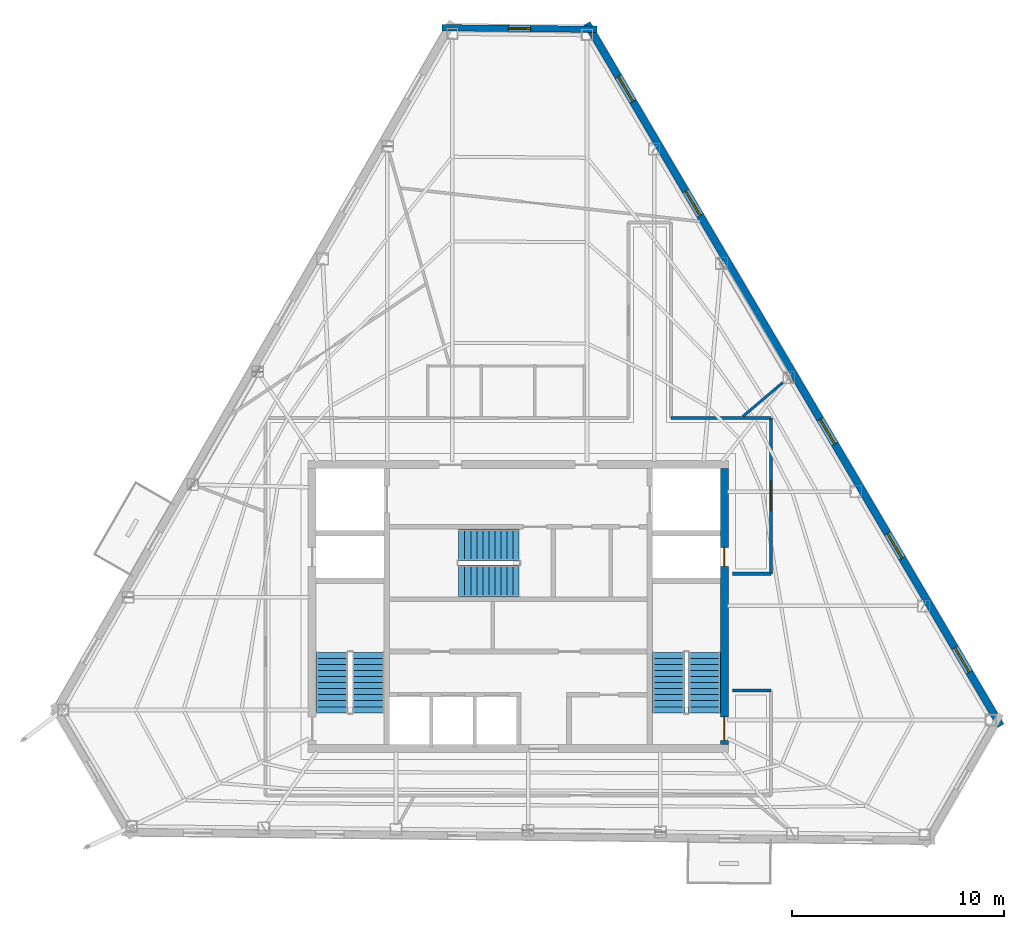
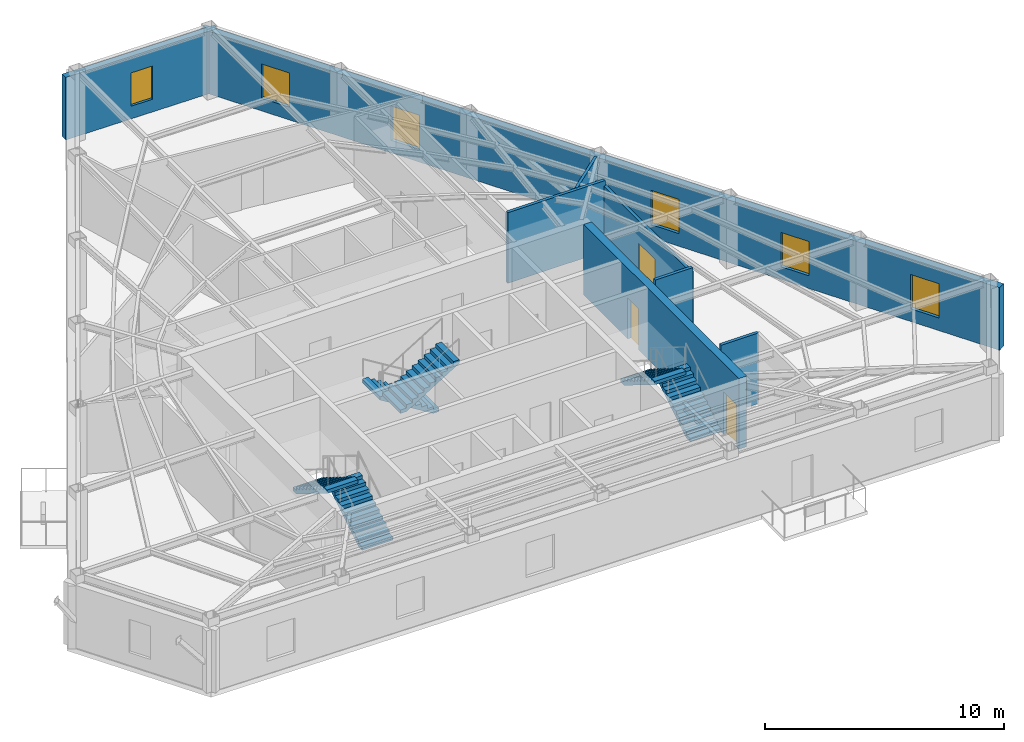
# One storey, part 9 of 11: 8 walls, 6 stair flights, 6 windows, 3 doors, 9 openings, 3 elements without a shape of their own.
"""IFC4 building model written with IfcOpenShell, lengths in metres."""

from ifc_helpers import new_model, si_unit, direction, frame, frame_2d, origin, place, context, subcontext, project, spatial, polyline, rectangle, outline, extrude, material, layer, layer_set, type_object, element, fill, aggregate, save


model = new_model("IFC4")

# Units and contexts
model_context = context("Model", 3, precision=1e-05, world=origin(), true_north=direction((0.0, 1.0)))
body_context = subcontext(model_context, "Body", "Model", "MODEL_VIEW")
ifc_project = project(units=[si_unit("LENGTHUNIT", "METRE"), si_unit("AREAUNIT", "SQUARE_METRE"), si_unit("VOLUMEUNIT", "CUBIC_METRE"), si_unit("PLANEANGLEUNIT", "RADIAN"), si_unit("MASSUNIT", "GRAM", prefix="KILO")], contexts=[model_context])

# Site, building, storey
site_placement = place(None, origin())
site = spatial("IfcSite", under=ifc_project, at=site_placement, CompositionType="ELEMENT")
building_placement = place(site_placement, origin())
building = spatial("IfcBuilding", under=site, at=building_placement, Name="Kavelnor Concourse Tower", CompositionType="ELEMENT")
storey_placement = place(building_placement, frame((0.0, 0.0, 262.60009765625)))
storey = spatial("IfcBuildingStorey", under=building, at=storey_placement, Name="L66", CompositionType="ELEMENT", Elevation=262.60009765625)

# Wall, openings, doors
ifc_material_1 = material(Name="Concrete C50/60", Category="concrete")
ifc_layer_1 = layer(ifc_material_1, 0.3798828125, Name="Concrete C50/60")
ifc_layer_set_1 = layer_set([ifc_layer_1], Name="Concrete C50/60")
wall_type_1 = type_object("IfcWallType", Name="WL-CORE-Z4-380", PredefinedType="SOLIDWALL", material=ifc_layer_set_1)
wall_1_placement = place(storey_placement, frame((47.7099609375, 9.60009765625, 0.0), z_axis=(0.0, 0.0, 1.0), x_axis=(0.0, 1.0, 0.0)))
wall_1 = element("IfcWall", 1, at=wall_1_placement, inside=storey, type_object=wall_type_1, Name="L66 Central Core East Shear Wall", PredefinedType="SOLIDWALL", context=body_context, shape_type="SweptSolid", body=[
    extrude(rectangle(XDim=13.0, YDim=0.3798828125, at=frame_2d((6.5, 0.0))), origin(), (0.0, 0.0, 1.0), 3.60986328125),
])
opening_1_placement = place(wall_1_placement, frame((0.199951171875, 0.0, 0.0)))
opening_1 = element("IfcOpeningElement", 2, at=opening_1_placement, cuts=wall_1, Name="Opening FD-110", PredefinedType="OPENING", context=body_context, shape_type="SweptSolid", body=[
    extrude(rectangle(XDim=1.10009765625, YDim=2.14990234375, at=frame_2d((0.550048828125, 1.074951171875))), frame((0.0, 0.199951171875, 0.0), z_axis=(0.0, -1.0, 0.0), x_axis=(1.0, 0.0, 0.0)), (0.0, 0.0, 1.0), 0.39990234375),
])
opening_2_placement = place(wall_1_placement, frame((8.39990234375, 0.0, 0.0)))
opening_2 = element("IfcOpeningElement", 3, at=opening_2_placement, cuts=wall_1, Name="Opening FD-090", PredefinedType="OPENING", context=body_context, shape_type="SweptSolid", body=[
    extrude(rectangle(XDim=0.89990234375, YDim=2.10009765625, at=frame_2d((0.449951171875, 1.050048828125))), frame((0.0, 0.199951171875, 0.0), z_axis=(0.0, -1.0, 0.0), x_axis=(1.0, 0.0, 0.0)), (0.0, 0.0, 1.0), 0.39990234375),
])
ifc_material_2 = material(Name="Steel Grade 350", Category="steel")
door_type_1 = type_object("IfcDoorType", Name="DR-RISER-FIRE-900", OperationType="NOTDEFINED", PredefinedType="DOOR", material=ifc_material_2)
door_1_placement = place(opening_2_placement, origin())
door_1 = element("IfcDoor", 4, at=door_1_placement, inside=storey, type_object=door_type_1, Name="L66 East Riser Access Door", OperationType="SINGLE_SWING_LEFT", OverallHeight=2.10009765625, OverallWidth=0.89990234375, PredefinedType="DOOR", context=body_context, shape_type="SweptSolid", body=[
    extrude(rectangle(XDim=0.89990234375, YDim=2.10009765625, at=frame_2d((0.449951171875, 1.050048828125))), frame((0.0, 0.02490234375, 0.0), z_axis=(0.0, -1.0, 0.0), x_axis=(1.0, 0.0, 0.0)), (0.0, 0.0, 1.0), 0.050048828125),
])
fill(opening_2, door_1)
door_type_2 = type_object("IfcDoorType", Name="DR-STAIR-FIRE-1100", OperationType="NOTDEFINED", PredefinedType="DOOR", material=ifc_material_2)
door_2_placement = place(opening_1_placement, origin())
door_2 = element("IfcDoor", 5, at=door_2_placement, inside=storey, type_object=door_type_2, Name="L66 Stair ST2 Fire Door", OperationType="SINGLE_SWING_RIGHT", OverallHeight=2.14990234375, OverallWidth=1.10009765625, PredefinedType="DOOR", context=body_context, shape_type="SweptSolid", body=[
    extrude(rectangle(XDim=1.10009765625, YDim=2.14990234375, at=frame_2d((0.550048828125, 1.074951171875))), frame((0.0, 0.02490234375, 0.0), z_axis=(0.0, -1.0, 0.0), x_axis=(1.0, 0.0, 0.0)), (0.0, 0.0, 1.0), 0.050048828125),
])
fill(opening_1, door_2)

# Wall, opening, window
ifc_material_3 = material(Name="Buff ironspot clay face brick masonry", Category="masonry")
ifc_layer_2 = layer(ifc_material_3, 0.300048828125, Name="Buff ironspot clay face brick masonry")
ifc_layer_set_2 = layer_set([ifc_layer_2], Name="Buff ironspot clay face brick masonry")
wall_type_2 = type_object("IfcWallType", Name="WL-EXT-BUFF-BRICK-FOLD-300", PredefinedType="STANDARD", material=ifc_layer_set_2)
wall_2_placement = place(storey_placement, frame((34.408935546875, 43.374755859375, 0.0), z_axis=(0.0, 0.0, 1.0), x_axis=(0.999945939405, -0.010397993418, 0.0)))
wall_2 = element("IfcWall", 6, at=wall_2_placement, inside=storey, type_object=wall_type_2, Name="L66 Exterior Brick Facade Wall E0", PredefinedType="STANDARD", context=body_context, shape_type="SweptSolid", body=[
    extrude(rectangle(XDim=7.30224609375, YDim=0.300048828125, at=frame_2d((3.651123046875, 0.0))), origin(), (0.0, 0.0, 1.0), 3.19580078125),
])
opening_3_placement = place(wall_2_placement, frame((3.126220703125, 0.0, 0.64990234375)))
opening_3 = element("IfcOpeningElement", 7, at=opening_3_placement, cuts=wall_2, Name="Opening W-06", PredefinedType="OPENING", context=body_context, shape_type="SweptSolid", body=[
    extrude(rectangle(XDim=1.050048828125, YDim=1.699951171875, at=frame_2d((0.52490234375, 0.85009765625))), frame((0.0, 0.16015625, 0.0), z_axis=(0.0, -1.0, 0.0), x_axis=(1.0, 0.0, 0.0)), (0.0, 0.0, 1.0), 0.320068359375),
])
ifc_material_4 = material(Name="Double low-E argon insulated glazing", Category="glass")
window_type_1 = type_object("IfcWindowType", Name="WIN-FOLD-1050", PartitioningType="SINGLE_PANEL", PredefinedType="WINDOW", material=ifc_material_4)
window_1_placement = place(opening_3_placement, origin())
window_1 = element("IfcWindow", 8, at=window_1_placement, inside=storey, type_object=window_type_1, Name="L66 Chamfer-Fold Facet Window C0", OverallHeight=1.699951171875, OverallWidth=1.050048828125, PartitioningType="SINGLE_PANEL", PredefinedType="WINDOW", context=body_context, shape_type="SweptSolid", body=[
    extrude(rectangle(XDim=1.050048828125, YDim=1.699951171875, at=frame_2d((0.52490234375, 0.85009765625))), frame((0.0, 0.030029296875, 0.0), z_axis=(0.0, -1.0, 0.0), x_axis=(1.0, 0.0, 0.0)), (0.0, 0.0, 1.0), 0.06005859375),
])
fill(opening_3, window_1)

# Wall, openings, windows
ifc_material_5 = material(Name="Red-ochre clay face brick masonry", Category="masonry")
ifc_layer_3 = layer(ifc_material_5, 0.35009765625, Name="Red-ochre clay face brick masonry")
ifc_layer_set_3 = layer_set([ifc_layer_3], Name="Red-ochre clay face brick masonry")
wall_type_3 = type_object("IfcWallType", Name="WL-EXT-RED-BRICK-PIER-350", PredefinedType="STANDARD", material=ifc_layer_set_3)
wall_3_placement = place(storey_placement, frame((41.23046875, 43.57666015625, 0.0), z_axis=(0.0, 0.0, 1.0), x_axis=(0.507689696002, -0.861540000565, 0.0)))
wall_3 = element("IfcWall", 9, at=wall_3_placement, inside=storey, type_object=wall_type_3, Name="L66 Exterior Brick Facade Wall E5", PredefinedType="STANDARD", context=body_context, shape_type="SweptSolid", body=[
    extrude(rectangle(XDim=38.40966796875, YDim=0.35009765625, at=frame_2d((19.204833984375, 0.0))), origin(), (0.0, 0.0, 1.0), 3.19580078125),
])
opening_4_placement = place(wall_3_placement, frame((34.1337890625, 0.0, 0.64990234375)))
opening_4 = element("IfcOpeningElement", 10, at=opening_4_placement, cuts=wall_3, Name="Opening W-04", PredefinedType="OPENING", context=body_context, shape_type="SweptSolid", body=[
    extrude(rectangle(XDim=1.35009765625, YDim=1.75, at=frame_2d((0.675048828125, 0.875))), frame((0.0, 0.18505859375, 0.0), z_axis=(0.0, -1.0, 0.0), x_axis=(1.0, 0.0, 0.0)), (0.0, 0.0, 1.0), 0.3701171875),
])
opening_5_placement = place(wall_3_placement, frame((27.890380859375, 0.0, 0.64990234375)))
opening_5 = element("IfcOpeningElement", 11, at=opening_5_placement, cuts=wall_3, Name="Opening W-04", PredefinedType="OPENING", context=body_context, shape_type="SweptSolid", body=[
    extrude(rectangle(XDim=1.35009765625, YDim=1.75, at=frame_2d((0.675048828125, 0.875))), frame((0.0, 0.18505859375, 0.0), z_axis=(0.0, -1.0, 0.0), x_axis=(1.0, 0.0, 0.0)), (0.0, 0.0, 1.0), 0.3701171875),
])
opening_6_placement = place(wall_3_placement, frame((21.647216796875, 0.0, 0.64990234375)))
opening_6 = element("IfcOpeningElement", 12, at=opening_6_placement, cuts=wall_3, Name="Opening W-04", PredefinedType="OPENING", context=body_context, shape_type="SweptSolid", body=[
    extrude(rectangle(XDim=1.35009765625, YDim=1.75, at=frame_2d((0.675048828125, 0.875))), frame((0.0, 0.18505859375, 0.0), z_axis=(0.0, -1.0, 0.0), x_axis=(1.0, 0.0, 0.0)), (0.0, 0.0, 1.0), 0.3701171875),
])
opening_7_placement = place(wall_3_placement, frame((9.160888671875, 0.0, 0.64990234375)))
opening_7 = element("IfcOpeningElement", 13, at=opening_7_placement, cuts=wall_3, Name="Opening W-04", PredefinedType="OPENING", context=body_context, shape_type="SweptSolid", body=[
    extrude(rectangle(XDim=1.35009765625, YDim=1.75, at=frame_2d((0.675048828125, 0.875))), frame((0.0, 0.18505859375, 0.0), z_axis=(0.0, -1.0, 0.0), x_axis=(1.0, 0.0, 0.0)), (0.0, 0.0, 1.0), 0.3701171875),
])
opening_8_placement = place(wall_3_placement, frame((2.91748046875, 0.0, 0.64990234375)))
opening_8 = element("IfcOpeningElement", 14, at=opening_8_placement, cuts=wall_3, Name="Opening W-04", PredefinedType="OPENING", context=body_context, shape_type="SweptSolid", body=[
    extrude(rectangle(XDim=1.35009765625, YDim=1.75, at=frame_2d((0.675048828125, 0.875))), frame((0.0, 0.18505859375, 0.0), z_axis=(0.0, -1.0, 0.0), x_axis=(1.0, 0.0, 0.0)), (0.0, 0.0, 1.0), 0.3701171875),
])
window_type_2 = type_object("IfcWindowType", Name="WIN-PIER-Z4-1350", PartitioningType="SINGLE_PANEL", PredefinedType="WINDOW", material=ifc_material_4)
window_2_placement = place(opening_4_placement, origin())
window_2 = element("IfcWindow", 15, at=window_2_placement, inside=storey, type_object=window_type_2, Name="L66 Deep-Set Brick Pier Window F2-B0", OverallHeight=1.75, OverallWidth=1.35009765625, PartitioningType="SINGLE_PANEL", PredefinedType="WINDOW", context=body_context, shape_type="SweptSolid", body=[
    extrude(rectangle(XDim=1.35009765625, YDim=1.75, at=frame_2d((0.675048828125, 0.875))), frame((0.0, 0.030029296875, 0.0), z_axis=(0.0, -1.0, 0.0), x_axis=(1.0, 0.0, 0.0)), (0.0, 0.0, 1.0), 0.06005859375),
])
fill(opening_4, window_2)
window_3_placement = place(opening_5_placement, origin())
window_3 = element("IfcWindow", 16, at=window_3_placement, inside=storey, type_object=window_type_2, Name="L66 Deep-Set Brick Pier Window F2-B1", OverallHeight=1.75, OverallWidth=1.35009765625, PartitioningType="SINGLE_PANEL", PredefinedType="WINDOW", context=body_context, shape_type="SweptSolid", body=[
    extrude(rectangle(XDim=1.35009765625, YDim=1.75, at=frame_2d((0.675048828125, 0.875))), frame((0.0, 0.030029296875, 0.0), z_axis=(0.0, -1.0, 0.0), x_axis=(1.0, 0.0, 0.0)), (0.0, 0.0, 1.0), 0.06005859375),
])
fill(opening_5, window_3)
window_4_placement = place(opening_6_placement, origin())
window_4 = element("IfcWindow", 17, at=window_4_placement, inside=storey, type_object=window_type_2, Name="L66 Deep-Set Brick Pier Window F2-B2", OverallHeight=1.75, OverallWidth=1.35009765625, PartitioningType="SINGLE_PANEL", PredefinedType="WINDOW", context=body_context, shape_type="SweptSolid", body=[
    extrude(rectangle(XDim=1.35009765625, YDim=1.75, at=frame_2d((0.675048828125, 0.875))), frame((0.0, 0.030029296875, 0.0), z_axis=(0.0, -1.0, 0.0), x_axis=(1.0, 0.0, 0.0)), (0.0, 0.0, 1.0), 0.06005859375),
])
fill(opening_6, window_4)
window_5_placement = place(opening_7_placement, origin())
window_5 = element("IfcWindow", 18, at=window_5_placement, inside=storey, type_object=window_type_2, Name="L66 Deep-Set Brick Pier Window F2-B4", OverallHeight=1.75, OverallWidth=1.35009765625, PartitioningType="SINGLE_PANEL", PredefinedType="WINDOW", context=body_context, shape_type="SweptSolid", body=[
    extrude(rectangle(XDim=1.35009765625, YDim=1.75, at=frame_2d((0.675048828125, 0.875))), frame((0.0, 0.030029296875, 0.0), z_axis=(0.0, -1.0, 0.0), x_axis=(1.0, 0.0, 0.0)), (0.0, 0.0, 1.0), 0.06005859375),
])
fill(opening_7, window_5)
window_6_placement = place(opening_8_placement, origin())
window_6 = element("IfcWindow", 19, at=window_6_placement, inside=storey, type_object=window_type_2, Name="L66 Deep-Set Brick Pier Window F2-B5", OverallHeight=1.75, OverallWidth=1.35009765625, PartitioningType="SINGLE_PANEL", PredefinedType="WINDOW", context=body_context, shape_type="SweptSolid", body=[
    extrude(rectangle(XDim=1.35009765625, YDim=1.75, at=frame_2d((0.675048828125, 0.875))), frame((0.0, 0.030029296875, 0.0), z_axis=(0.0, -1.0, 0.0), x_axis=(1.0, 0.0, 0.0)), (0.0, 0.0, 1.0), 0.06005859375),
])
fill(opening_8, window_6)

# Wall
ifc_material_6 = material(Name="Gypsum plasterboard on light-gauge steel studs", Category="steel")
ifc_layer_4 = layer(ifc_material_6, 0.14501953125, Name="Gypsum plasterboard on light-gauge steel studs")
ifc_layer_set_4 = layer_set([ifc_layer_4], Name="Gypsum plasterboard on light-gauge steel studs")
wall_type_4 = type_object("IfcWallType", Name="WL-INT-CORR-145", PredefinedType="PARTITIONING", material=ifc_layer_set_4)
wall_4_placement = place(storey_placement, frame((45.199951171875, 24.989990234375, 0.0), z_axis=(0.0, 0.0, 1.0), x_axis=(1.0, 0.0, 0.0)))
element("IfcWall", 20, at=wall_4_placement, inside=storey, type_object=wall_type_4, Name="L66 Corridor Wall WL-L66-CR-04", PredefinedType="PARTITIONING", context=body_context, shape_type="SweptSolid", body=[
    extrude(rectangle(XDim=4.7099609375, YDim=0.14501953125, at=frame_2d((2.35498046875, 0.0))), origin(), (0.0, 0.0, 1.0), 3.60986328125),
])

# Wall, opening, door
wall_5_placement = place(storey_placement, frame((49.909912109375, 24.989990234375, 0.0), z_axis=(0.0, 0.0, 1.0), x_axis=(0.0, -1.0, 0.0)))
wall_5 = element("IfcWall", 21, at=wall_5_placement, inside=storey, type_object=wall_type_4, Name="L66 Corridor Wall WL-L66-CR-05", PredefinedType="PARTITIONING", context=body_context, shape_type="SweptSolid", body=[
    extrude(rectangle(XDim=7.340087890625, YDim=0.14501953125, at=frame_2d((3.669921875, 0.0))), origin(), (0.0, 0.0, 1.0), 3.348876953125),
])
opening_9_placement = place(wall_5_placement, frame((2.969970703125, 0.0, 0.0)))
opening_9 = element("IfcOpeningElement", 22, at=opening_9_placement, cuts=wall_5, Name="Opening SD-140", PredefinedType="OPENING", context=body_context, shape_type="SweptSolid", body=[
    extrude(rectangle(XDim=1.39990234375, YDim=2.199951171875, at=frame_2d((0.699951171875, 1.10009765625))), frame((0.0, 0.08251953125, 0.0), z_axis=(0.0, -1.0, 0.0), x_axis=(1.0, 0.0, 0.0)), (0.0, 0.0, 1.0), 0.1650390625),
])
ifc_material_7 = material(Name="Solid-core hardwood timber", Category="wood")
door_type_3 = type_object("IfcDoorType", Name="DR-SUITE-ENTRY-1400", OperationType="NOTDEFINED", PredefinedType="DOOR", material=ifc_material_7)
door_3_placement = place(opening_9_placement, origin())
door_3 = element("IfcDoor", 23, at=door_3_placement, inside=storey, type_object=door_type_3, Name="L66 Executive Dining Room 07 Door", OperationType="SINGLE_SWING_RIGHT", OverallHeight=2.199951171875, OverallWidth=1.39990234375, PredefinedType="DOOR", context=body_context, shape_type="SweptSolid", body=[
    extrude(rectangle(XDim=1.39990234375, YDim=2.199951171875, at=frame_2d((0.699951171875, 1.10009765625))), frame((0.0, 0.02490234375, 0.0), z_axis=(0.0, -1.0, 0.0), x_axis=(1.0, 0.0, 0.0)), (0.0, 0.0, 1.0), 0.050048828125),
])
fill(opening_9, door_3)

# Walls
for number, where, z_axis, x_axis, name in (
    (24, (49.909912109375, 17.64990234375, 0.0), (0.0, 0.0, 1.0), (-1.0, 0.0, 0.0), "L66 Corridor Wall WL-L66-CR-06"),
    (25, (48.090087890625, 12.14990234375, 0.0), (0.0, 0.0, 1.0), (1.0, 0.0, 0.0), "L66 Corridor Wall WL-L66-CR-07"),
):
    element("IfcWall", number, at=place(storey_placement, frame(where, z_axis=z_axis, x_axis=x_axis)), inside=storey, type_object=wall_type_4, Name=name, PredefinedType="PARTITIONING", context=body_context, shape_type="SweptSolid", body=[
        extrude(rectangle(XDim=1.81982421875, YDim=0.14501953125, at=frame_2d((0.909912109375, 0.0))), origin(), (0.0, 0.0, 1.0), 3.60986328125),
    ])
ifc_layer_5 = layer(ifc_material_6, 0.125, Name="Gypsum plasterboard on light-gauge steel studs")
ifc_layer_set_5 = layer_set([ifc_layer_5], Name="Gypsum plasterboard on light-gauge steel studs")
wall_type_5 = type_object("IfcWallType", Name="WL-INT-SUITE-125", PredefinedType="PARTITIONING", material=ifc_layer_set_5)
wall_6_placement = place(storey_placement, frame((48.58935546875, 25.070556640625, 0.0), z_axis=(0.0, 0.0, 1.0), x_axis=(0.763023110228, 0.646371203921, 0.0)))
element("IfcWall", 26, at=wall_6_placement, inside=storey, type_object=wall_type_5, Name="L66 Radial Suite Partition 01", PredefinedType="PARTITIONING", context=body_context, shape_type="SweptSolid", body=[
    extrude(rectangle(XDim=2.44873046875, YDim=0.125, at=frame_2d((1.224365234375, 0.0))), origin(), (0.0, 0.0, 1.0), 3.60986328125),
])

# Stair, stair flights
ifc_material_8 = material(Name="Concrete C40/50", Category="concrete")
stair_type = type_object("IfcStairType", Name="STR-CORE-1500", PredefinedType="HALF_TURN_STAIR", material=ifc_material_8)
stair_1_placement = place(storey_placement, origin())
stair_1 = element("IfcStair", 27, at=stair_1_placement, inside=storey, type_object=stair_type, Name="L66 ST1", PredefinedType="HALF_TURN_STAIR")
stair_flight_type = type_object("IfcStairFlightType", Name="STR-FLIGHT-1500", PredefinedType="STRAIGHT", material=ifc_material_8)
stair_flight_1_placement = place(storey_placement, frame((30.929931640625, 11.10009765625, 0.0), z_axis=(0.0, 0.0, 1.0), x_axis=(0.0, 1.0, 0.0)))
stair_flight_1 = element("IfcStairFlight", 28, at=stair_flight_1_placement, type_object=stair_flight_type, Name="ST1 flight 1", NumberOfRisers=11, NumberOfTreads=10, PredefinedType="STRAIGHT", RiserHeight=0.175, TreadLength=0.285, context=body_context, shape_type="SweptSolid", body=[
    extrude(outline(polyline([(0.0, 0.0), (0.0, 0.175048828125), (0.284912109375, 0.175048828125), (0.284912109375, 0.35009765625), (0.570068359375, 0.35009765625), (0.570068359375, 0.52490234375), (0.85498046875, 0.52490234375), (0.85498046875, 0.699951171875), (1.139892578125, 0.699951171875), (1.139892578125, 0.875), (1.425048828125, 0.875), (1.425048828125, 1.050048828125), (1.7099609375, 1.050048828125), (1.7099609375, 1.22509765625), (1.9951171875, 1.22509765625), (1.9951171875, 1.39990234375), (2.280029296875, 1.39990234375), (2.280029296875, 1.574951171875), (2.56494140625, 1.574951171875), (2.56494140625, 1.75), (2.85009765625, 1.75), (2.85009765625, 1.925048828125), (2.85009765625, 1.573974609375), (0.286376953125, 0.0), (0.0, 0.0)])), frame((0.0, 0.75, 0.0), z_axis=(0.0, -1.0, 0.0), x_axis=(1.0, 0.0, 0.0)), (0.0, 0.0, 1.0), 1.5),
])
stair_flight_2_placement = place(storey_placement, frame((29.22998046875, 13.949951171875, 1.9248046875), z_axis=(0.0, 0.0, 1.0), x_axis=(0.0, -1.0, 0.0)))
stair_flight_2 = element("IfcStairFlight", 29, at=stair_flight_2_placement, type_object=stair_flight_type, Name="ST1 flight 2", NumberOfRisers=11, NumberOfTreads=10, PredefinedType="STRAIGHT", RiserHeight=0.175, TreadLength=0.285, context=body_context, shape_type="SweptSolid", body=[
    extrude(outline(polyline([(0.0, 0.0), (0.0, 0.175048828125), (0.284912109375, 0.175048828125), (0.284912109375, 0.35009765625), (0.570068359375, 0.35009765625), (0.570068359375, 0.52490234375), (0.85498046875, 0.52490234375), (0.85498046875, 0.699951171875), (1.139892578125, 0.699951171875), (1.139892578125, 0.875), (1.425048828125, 0.875), (1.425048828125, 1.050048828125), (1.7099609375, 1.050048828125), (1.7099609375, 1.22509765625), (1.9951171875, 1.22509765625), (1.9951171875, 1.39990234375), (2.280029296875, 1.39990234375), (2.280029296875, 1.574951171875), (2.56494140625, 1.574951171875), (2.56494140625, 1.75), (2.85009765625, 1.75), (2.85009765625, 1.925048828125), (2.85009765625, 1.573974609375), (0.286376953125, 0.0), (0.0, 0.0)])), frame((0.0, 0.75, 0.0), z_axis=(0.0, -1.0, 0.0), x_axis=(1.0, 0.0, 0.0)), (0.0, 0.0, 1.0), 1.5),
])
aggregate(stair_1, [stair_flight_1, stair_flight_2])

stair_2_placement = place(storey_placement, origin())
stair_2 = element("IfcStair", 30, at=stair_2_placement, inside=storey, type_object=stair_type, Name="L66 ST2", PredefinedType="HALF_TURN_STAIR")
stair_flight_3_placement = place(storey_placement, frame((46.77001953125, 11.10009765625, 0.0), z_axis=(0.0, 0.0, 1.0), x_axis=(0.0, 1.0, 0.0)))
stair_flight_3 = element("IfcStairFlight", 31, at=stair_flight_3_placement, type_object=stair_flight_type, Name="ST2 flight 1", NumberOfRisers=11, NumberOfTreads=10, PredefinedType="STRAIGHT", RiserHeight=0.175, TreadLength=0.285, context=body_context, shape_type="SweptSolid", body=[
    extrude(outline(polyline([(0.0, 0.0), (0.0, 0.175048828125), (0.284912109375, 0.175048828125), (0.284912109375, 0.35009765625), (0.570068359375, 0.35009765625), (0.570068359375, 0.52490234375), (0.85498046875, 0.52490234375), (0.85498046875, 0.699951171875), (1.139892578125, 0.699951171875), (1.139892578125, 0.875), (1.425048828125, 0.875), (1.425048828125, 1.050048828125), (1.7099609375, 1.050048828125), (1.7099609375, 1.22509765625), (1.9951171875, 1.22509765625), (1.9951171875, 1.39990234375), (2.280029296875, 1.39990234375), (2.280029296875, 1.574951171875), (2.56494140625, 1.574951171875), (2.56494140625, 1.75), (2.85009765625, 1.75), (2.85009765625, 1.925048828125), (2.85009765625, 1.573974609375), (0.286376953125, 0.0), (0.0, 0.0)])), frame((0.0, 0.75, 0.0), z_axis=(0.0, -1.0, 0.0), x_axis=(1.0, 0.0, 0.0)), (0.0, 0.0, 1.0), 1.5),
])
stair_flight_4_placement = place(storey_placement, frame((45.070068359375, 13.949951171875, 1.9248046875), z_axis=(0.0, 0.0, 1.0), x_axis=(0.0, -1.0, 0.0)))
stair_flight_4 = element("IfcStairFlight", 32, at=stair_flight_4_placement, type_object=stair_flight_type, Name="ST2 flight 2", NumberOfRisers=11, NumberOfTreads=10, PredefinedType="STRAIGHT", RiserHeight=0.175, TreadLength=0.285, context=body_context, shape_type="SweptSolid", body=[
    extrude(outline(polyline([(0.0, 0.0), (0.0, 0.175048828125), (0.284912109375, 0.175048828125), (0.284912109375, 0.35009765625), (0.570068359375, 0.35009765625), (0.570068359375, 0.52490234375), (0.85498046875, 0.52490234375), (0.85498046875, 0.699951171875), (1.139892578125, 0.699951171875), (1.139892578125, 0.875), (1.425048828125, 0.875), (1.425048828125, 1.050048828125), (1.7099609375, 1.050048828125), (1.7099609375, 1.22509765625), (1.9951171875, 1.22509765625), (1.9951171875, 1.39990234375), (2.280029296875, 1.39990234375), (2.280029296875, 1.574951171875), (2.56494140625, 1.574951171875), (2.56494140625, 1.75), (2.85009765625, 1.75), (2.85009765625, 1.925048828125), (2.85009765625, 1.573974609375), (0.286376953125, 0.0), (0.0, 0.0)])), frame((0.0, 0.75, 0.0), z_axis=(0.0, -1.0, 0.0), x_axis=(1.0, 0.0, 0.0)), (0.0, 0.0, 1.0), 1.5),
])
aggregate(stair_2, [stair_flight_3, stair_flight_4])

stair_3_placement = place(storey_placement, origin())
stair_3 = element("IfcStair", 33, at=stair_3_placement, inside=storey, type_object=stair_type, Name="L66 ST3", PredefinedType="HALF_TURN_STAIR")
stair_flight_5_placement = place(storey_placement, frame((38.0400390625, 19.010009765625, 0.0), z_axis=(0.0, 0.0, 1.0), x_axis=(-1.0, 0.0, 0.0)))
stair_flight_5 = element("IfcStairFlight", 34, at=stair_flight_5_placement, type_object=stair_flight_type, Name="ST3 flight 1", NumberOfRisers=11, NumberOfTreads=10, PredefinedType="STRAIGHT", RiserHeight=0.175, TreadLength=0.285, context=body_context, shape_type="SweptSolid", body=[
    extrude(outline(polyline([(0.0, 0.0), (0.0, 0.175048828125), (0.284912109375, 0.175048828125), (0.284912109375, 0.35009765625), (0.570068359375, 0.35009765625), (0.570068359375, 0.52490234375), (0.85498046875, 0.52490234375), (0.85498046875, 0.699951171875), (1.139892578125, 0.699951171875), (1.139892578125, 0.875), (1.425048828125, 0.875), (1.425048828125, 1.050048828125), (1.7099609375, 1.050048828125), (1.7099609375, 1.22509765625), (1.9951171875, 1.22509765625), (1.9951171875, 1.39990234375), (2.280029296875, 1.39990234375), (2.280029296875, 1.574951171875), (2.56494140625, 1.574951171875), (2.56494140625, 1.75), (2.85009765625, 1.75), (2.85009765625, 1.925048828125), (2.85009765625, 1.573974609375), (0.286376953125, 0.0), (0.0, 0.0)])), frame((0.0, 0.75, 0.0), z_axis=(0.0, -1.0, 0.0), x_axis=(1.0, 0.0, 0.0)), (0.0, 0.0, 1.0), 1.5),
])
stair_flight_6_placement = place(storey_placement, frame((35.18994140625, 17.31005859375, 1.9248046875), z_axis=(0.0, 0.0, 1.0), x_axis=(1.0, 0.0, 0.0)))
stair_flight_6 = element("IfcStairFlight", 35, at=stair_flight_6_placement, type_object=stair_flight_type, Name="ST3 flight 2", NumberOfRisers=11, NumberOfTreads=10, PredefinedType="STRAIGHT", RiserHeight=0.175, TreadLength=0.285, context=body_context, shape_type="SweptSolid", body=[
    extrude(outline(polyline([(0.0, 0.0), (0.0, 0.175048828125), (0.284912109375, 0.175048828125), (0.284912109375, 0.35009765625), (0.570068359375, 0.35009765625), (0.570068359375, 0.52490234375), (0.85498046875, 0.52490234375), (0.85498046875, 0.699951171875), (1.139892578125, 0.699951171875), (1.139892578125, 0.875), (1.425048828125, 0.875), (1.425048828125, 1.050048828125), (1.7099609375, 1.050048828125), (1.7099609375, 1.22509765625), (1.9951171875, 1.22509765625), (1.9951171875, 1.39990234375), (2.280029296875, 1.39990234375), (2.280029296875, 1.574951171875), (2.56494140625, 1.574951171875), (2.56494140625, 1.75), (2.85009765625, 1.75), (2.85009765625, 1.925048828125), (2.85009765625, 1.573974609375), (0.286376953125, 0.0), (0.0, 0.0)])), frame((0.0, 0.75, 0.0), z_axis=(0.0, -1.0, 0.0), x_axis=(1.0, 0.0, 0.0)), (0.0, 0.0, 1.0), 1.5),
])
aggregate(stair_3, [stair_flight_5, stair_flight_6])

save(model, "model.ifc")
